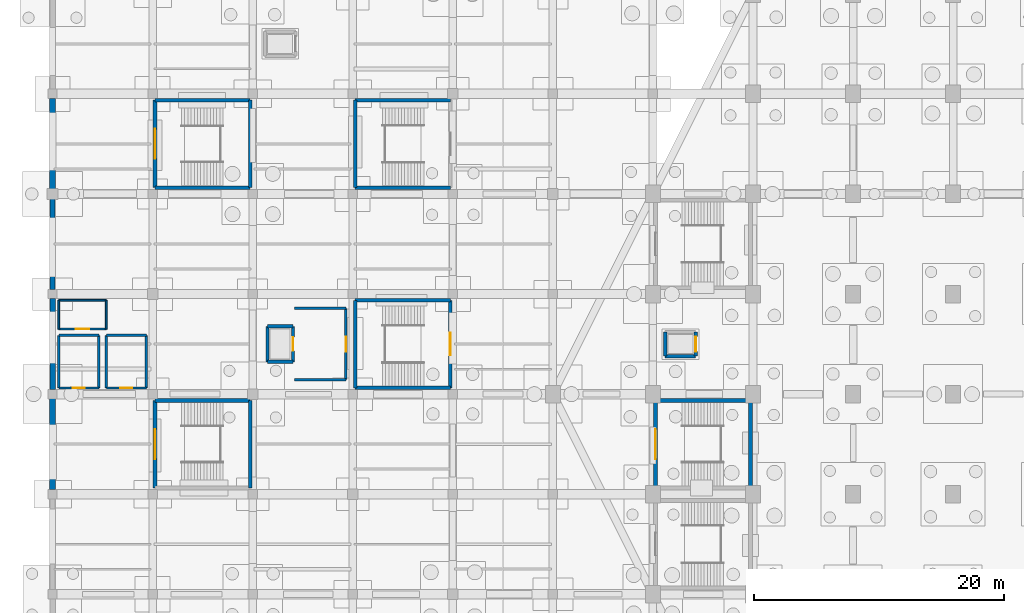
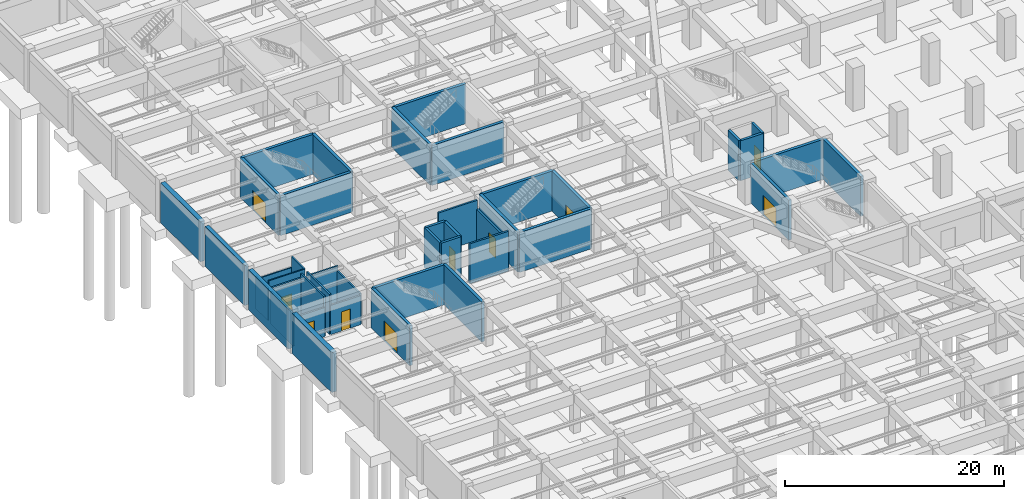
# One storey, part 25 of 36: 43 walls, 10 doors, 10 openings.
"""IFC4 building model written with IfcOpenShell, lengths in metres."""

from ifc_helpers import new_model, si_unit, direction, frame, frame_2d, origin, place, context, subcontext, project, spatial, rectangle, extrude, material, layer, layer_set, type_object, element, fill, save


model = new_model("IFC4")

# Units and contexts
model_context = context("Model", 3, precision=1e-05, world=origin(), true_north=direction((0.0, 1.0)))
body_context = subcontext(model_context, "Body", "Model", "MODEL_VIEW")
ifc_project = project(units=[si_unit("LENGTHUNIT", "METRE"), si_unit("AREAUNIT", "SQUARE_METRE"), si_unit("VOLUMEUNIT", "CUBIC_METRE"), si_unit("PLANEANGLEUNIT", "RADIAN"), si_unit("MASSUNIT", "GRAM", prefix="KILO")], contexts=[model_context])

# Site, building, storey
site_placement = place(None, origin())
site = spatial("IfcSite", under=ifc_project, at=site_placement, CompositionType="ELEMENT")
building_placement = place(site_placement, origin())
building = spatial("IfcBuilding", under=site, at=building_placement, Name="Tazarka Park Arena", CompositionType="ELEMENT")
storey_placement = place(building_placement, frame((0.0, 0.0, -4.800048828125)))
storey = spatial("IfcBuildingStorey", under=building, at=storey_placement, Name="B1", CompositionType="ELEMENT", Elevation=-4.800048828125)

# Wall, opening, door
ifc_material_1 = material(Name="Concrete C40/50", Category="concrete")
ifc_layer_1 = layer(ifc_material_1, 0.300048828125, Name="Concrete C40/50")
ifc_layer_set_1 = layer_set([ifc_layer_1], Name="Concrete C40/50")
wall_type_1 = type_object("IfcWallType", Name="IWAL-CW-S1", PredefinedType="SHEAR", material=ifc_layer_set_1)
wall_1_placement = place(storey_placement, frame((8.199951171875, 56.5, 0.0), z_axis=(0.0, 0.0, 1.0), x_axis=(0.0, 1.0, 0.0)))
wall_1 = element("IfcWall", 1, at=wall_1_placement, inside=storey, type_object=wall_type_1, Name="SCW-B1-ST01-W", PredefinedType="SHEAR", context=body_context, shape_type="SweptSolid", body=[
    extrude(rectangle(XDim=7.0, YDim=0.300048828125, at=frame_2d((3.5, 0.0))), origin(), (0.0, 0.0, 1.0), 4.4599609375),
])
opening_1_placement = place(wall_1_placement, frame((2.300048828125, 0.0, 0.0)))
opening_1 = element("IfcOpeningElement", 2, at=opening_1_placement, cuts=wall_1, Name="Opening ID-05", PredefinedType="OPENING", context=body_context, shape_type="SweptSolid", body=[
    extrude(rectangle(XDim=2.39990234375, YDim=2.199951171875, at=frame_2d((1.199951171875, 1.10009765625))), frame((0.0, 0.16015625, 0.0), z_axis=(0.0, -1.0, 0.0), x_axis=(1.0, 0.0, 0.0)), (0.0, 0.0, 1.0), 0.320068359375),
])
ifc_material_2 = material(Name="Fire-rated powder-coated steel and acoustic timber", Category="steel")
door_type_1 = type_object("IfcDoorType", Name="IDR-ID-05", OperationType="NOTDEFINED", PredefinedType="DOOR", material=ifc_material_2)
door_1_placement = place(opening_1_placement, frame((2.39990234375, 0.0, 0.0), z_axis=(0.0, 0.0, 1.0), x_axis=(-1.0, 0.0, 0.0)))
door_1 = element("IfcDoor", 3, at=door_1_placement, inside=storey, type_object=door_type_1, Name="Exit Stair Door ST01-B1", OperationType="DOUBLE_DOOR_SINGLE_SWING", OverallHeight=2.199951171875, OverallWidth=2.39990234375, PredefinedType="DOOR", context=body_context, shape_type="SweptSolid", body=[
    extrude(rectangle(XDim=2.39990234375, YDim=2.199951171875, at=frame_2d((1.199951171875, 1.10009765625))), frame((0.0, 0.02490234375, 0.0), z_axis=(0.0, -1.0, 0.0), x_axis=(1.0, 0.0, 0.0)), (0.0, 0.0, 1.0), 0.050048828125),
])
fill(opening_1, door_1)

# Walls
wall_2_placement = place(storey_placement, frame((8.199951171875, 63.5, 0.0), z_axis=(0.0, 0.0, 1.0), x_axis=(1.0, 0.0, 0.0)))
element("IfcWall", 4, at=wall_2_placement, inside=storey, type_object=wall_type_1, Name="SCW-B1-ST01-N", PredefinedType="SHEAR", context=body_context, shape_type="SweptSolid", body=[
    extrude(rectangle(XDim=7.60009765625, YDim=0.300048828125, at=frame_2d((3.800048828125, 0.0))), origin(), (0.0, 0.0, 1.0), 4.4599609375),
])
wall_3_placement = place(storey_placement, frame((15.800048828125, 63.5, 0.0), z_axis=(0.0, 0.0, 1.0), x_axis=(0.0, -1.0, 0.0)))
element("IfcWall", 5, at=wall_3_placement, inside=storey, type_object=wall_type_1, Name="SCW-B1-ST01-E", PredefinedType="SHEAR", context=body_context, shape_type="SweptSolid", body=[
    extrude(rectangle(XDim=7.0, YDim=0.300048828125, at=frame_2d((3.5, 0.0))), origin(), (0.0, 0.0, 1.0), 4.4599609375),
])
wall_4_placement = place(storey_placement, frame((15.800048828125, 80.5, 0.0), z_axis=(0.0, 0.0, 1.0), x_axis=(-1.0, 0.0, 0.0)))
element("IfcWall", 6, at=wall_4_placement, inside=storey, type_object=wall_type_1, Name="SCW-B1-ST02-S", PredefinedType="SHEAR", context=body_context, shape_type="SweptSolid", body=[
    extrude(rectangle(XDim=7.60009765625, YDim=0.300048828125, at=frame_2d((3.800048828125, 0.0))), origin(), (0.0, 0.0, 1.0), 4.4599609375),
])

# Wall, opening, door
wall_5_placement = place(storey_placement, frame((8.199951171875, 80.5, 0.0), z_axis=(0.0, 0.0, 1.0), x_axis=(0.0, 1.0, 0.0)))
wall_5 = element("IfcWall", 7, at=wall_5_placement, inside=storey, type_object=wall_type_1, Name="SCW-B1-ST02-W", PredefinedType="SHEAR", context=body_context, shape_type="SweptSolid", body=[
    extrude(rectangle(XDim=7.0, YDim=0.300048828125, at=frame_2d((3.5, 0.0))), origin(), (0.0, 0.0, 1.0), 4.4599609375),
])
opening_2_placement = place(wall_5_placement, frame((2.300048828125, 0.0, 0.0)))
opening_2 = element("IfcOpeningElement", 8, at=opening_2_placement, cuts=wall_5, Name="Opening ID-05", PredefinedType="OPENING", context=body_context, shape_type="SweptSolid", body=[
    extrude(rectangle(XDim=2.39990234375, YDim=2.199951171875, at=frame_2d((1.199951171875, 1.10009765625))), frame((0.0, 0.16015625, 0.0), z_axis=(0.0, -1.0, 0.0), x_axis=(1.0, 0.0, 0.0)), (0.0, 0.0, 1.0), 0.320068359375),
])
door_2_placement = place(opening_2_placement, frame((2.39990234375, 0.0, 0.0), z_axis=(0.0, 0.0, 1.0), x_axis=(-1.0, 0.0, 0.0)))
door_2 = element("IfcDoor", 9, at=door_2_placement, inside=storey, type_object=door_type_1, Name="Exit Stair Door ST02-B1", OperationType="DOUBLE_DOOR_SINGLE_SWING", OverallHeight=2.199951171875, OverallWidth=2.39990234375, PredefinedType="DOOR", context=body_context, shape_type="SweptSolid", body=[
    extrude(rectangle(XDim=2.39990234375, YDim=2.199951171875, at=frame_2d((1.199951171875, 1.10009765625))), frame((0.0, 0.02490234375, 0.0), z_axis=(0.0, -1.0, 0.0), x_axis=(1.0, 0.0, 0.0)), (0.0, 0.0, 1.0), 0.050048828125),
])
fill(opening_2, door_2)

# Walls
wall_6_placement = place(storey_placement, frame((8.199951171875, 87.5, 0.0), z_axis=(0.0, 0.0, 1.0), x_axis=(1.0, 0.0, 0.0)))
element("IfcWall", 10, at=wall_6_placement, inside=storey, type_object=wall_type_1, Name="SCW-B1-ST02-N", PredefinedType="SHEAR", context=body_context, shape_type="SweptSolid", body=[
    extrude(rectangle(XDim=7.60009765625, YDim=0.300048828125, at=frame_2d((3.800048828125, 0.0))), origin(), (0.0, 0.0, 1.0), 4.4599609375),
])
wall_7_placement = place(storey_placement, frame((15.800048828125, 87.5, 0.0), z_axis=(0.0, 0.0, 1.0), x_axis=(0.0, -1.0, 0.0)))
element("IfcWall", 11, at=wall_7_placement, inside=storey, type_object=wall_type_1, Name="SCW-B1-ST02-E", PredefinedType="SHEAR", context=body_context, shape_type="SweptSolid", body=[
    extrude(rectangle(XDim=7.0, YDim=0.300048828125, at=frame_2d((3.5, 0.0))), origin(), (0.0, 0.0, 1.0), 4.4599609375),
])

# Wall, opening, door
wall_8_placement = place(storey_placement, frame((48.199951171875, 56.5, 0.0), z_axis=(0.0, 0.0, 1.0), x_axis=(0.0, 1.0, 0.0)))
wall_8 = element("IfcWall", 12, at=wall_8_placement, inside=storey, type_object=wall_type_1, Name="SCW-B1-ST13-W", PredefinedType="SHEAR", context=body_context, shape_type="SweptSolid", body=[
    extrude(rectangle(XDim=7.0, YDim=0.300048828125, at=frame_2d((3.5, 0.0))), origin(), (0.0, 0.0, 1.0), 4.4599609375),
])
opening_3_placement = place(wall_8_placement, frame((2.300048828125, 0.0, 0.0)))
opening_3 = element("IfcOpeningElement", 13, at=opening_3_placement, cuts=wall_8, Name="Opening ID-05", PredefinedType="OPENING", context=body_context, shape_type="SweptSolid", body=[
    extrude(rectangle(XDim=2.39990234375, YDim=2.199951171875, at=frame_2d((1.199951171875, 1.10009765625))), frame((0.0, 0.16015625, 0.0), z_axis=(0.0, -1.0, 0.0), x_axis=(1.0, 0.0, 0.0)), (0.0, 0.0, 1.0), 0.320068359375),
])
door_3_placement = place(opening_3_placement, frame((2.39990234375, 0.0, 0.0), z_axis=(0.0, 0.0, 1.0), x_axis=(-1.0, 0.0, 0.0)))
door_3 = element("IfcDoor", 14, at=door_3_placement, inside=storey, type_object=door_type_1, Name="Exit Stair Door ST13-B1", OperationType="DOUBLE_DOOR_SINGLE_SWING", OverallHeight=2.199951171875, OverallWidth=2.39990234375, PredefinedType="DOOR", context=body_context, shape_type="SweptSolid", body=[
    extrude(rectangle(XDim=2.39990234375, YDim=2.199951171875, at=frame_2d((1.199951171875, 1.10009765625))), frame((0.0, 0.02490234375, 0.0), z_axis=(0.0, -1.0, 0.0), x_axis=(1.0, 0.0, 0.0)), (0.0, 0.0, 1.0), 0.050048828125),
])
fill(opening_3, door_3)

# Walls
wall_9_placement = place(storey_placement, frame((48.199951171875, 63.5, 0.0), z_axis=(0.0, 0.0, 1.0), x_axis=(1.0, 0.0, 0.0)))
element("IfcWall", 15, at=wall_9_placement, inside=storey, type_object=wall_type_1, Name="SCW-B1-ST13-N", PredefinedType="SHEAR", context=body_context, shape_type="SweptSolid", body=[
    extrude(rectangle(XDim=7.60009765625, YDim=0.300048828125, at=frame_2d((3.800048828125, 0.0))), origin(), (0.0, 0.0, 1.0), 4.4599609375),
])
wall_10_placement = place(storey_placement, frame((55.800048828125, 63.5, 0.0), z_axis=(0.0, 0.0, 1.0), x_axis=(0.0, -1.0, 0.0)))
element("IfcWall", 16, at=wall_10_placement, inside=storey, type_object=wall_type_1, Name="SCW-B1-ST13-E", PredefinedType="SHEAR", context=body_context, shape_type="SweptSolid", body=[
    extrude(rectangle(XDim=7.0, YDim=0.300048828125, at=frame_2d((3.5, 0.0))), origin(), (0.0, 0.0, 1.0), 4.4599609375),
])
wall_11_placement = place(storey_placement, frame((31.800048828125, 64.5, 0.0), z_axis=(0.0, 0.0, 1.0), x_axis=(-1.0, 0.0, 0.0)))
element("IfcWall", 17, at=wall_11_placement, inside=storey, type_object=wall_type_1, Name="SCW-B1-ST24-S", PredefinedType="SHEAR", context=body_context, shape_type="SweptSolid", body=[
    extrude(rectangle(XDim=7.60009765625, YDim=0.300048828125, at=frame_2d((3.800048828125, 0.0))), origin(), (0.0, 0.0, 1.0), 4.4599609375),
])
wall_12_placement = place(storey_placement, frame((24.199951171875, 64.5, 0.0), z_axis=(0.0, 0.0, 1.0), x_axis=(0.0, 1.0, 0.0)))
element("IfcWall", 18, at=wall_12_placement, inside=storey, type_object=wall_type_1, Name="SCW-B1-ST24-W", PredefinedType="SHEAR", context=body_context, shape_type="SweptSolid", body=[
    extrude(rectangle(XDim=7.0, YDim=0.300048828125, at=frame_2d((3.5, 0.0))), origin(), (0.0, 0.0, 1.0), 4.4599609375),
])
wall_13_placement = place(storey_placement, frame((24.199951171875, 71.5, 0.0), z_axis=(0.0, 0.0, 1.0), x_axis=(1.0, 0.0, 0.0)))
element("IfcWall", 19, at=wall_13_placement, inside=storey, type_object=wall_type_1, Name="SCW-B1-ST24-N", PredefinedType="SHEAR", context=body_context, shape_type="SweptSolid", body=[
    extrude(rectangle(XDim=7.60009765625, YDim=0.300048828125, at=frame_2d((3.800048828125, 0.0))), origin(), (0.0, 0.0, 1.0), 4.4599609375),
])

# Wall, opening, door
wall_14_placement = place(storey_placement, frame((31.800048828125, 71.5, 0.0), z_axis=(0.0, 0.0, 1.0), x_axis=(0.0, -1.0, 0.0)))
wall_14 = element("IfcWall", 20, at=wall_14_placement, inside=storey, type_object=wall_type_1, Name="SCW-B1-ST24-E", PredefinedType="SHEAR", context=body_context, shape_type="SweptSolid", body=[
    extrude(rectangle(XDim=7.0, YDim=0.300048828125, at=frame_2d((3.5, 0.0))), origin(), (0.0, 0.0, 1.0), 4.4599609375),
])
opening_4_placement = place(wall_14_placement, frame((2.60009765625, 0.0, 0.0)))
opening_4 = element("IfcOpeningElement", 21, at=opening_4_placement, cuts=wall_14, Name="Opening ID-04", PredefinedType="OPENING", context=body_context, shape_type="SweptSolid", body=[
    extrude(rectangle(XDim=1.800048828125, YDim=2.199951171875, at=frame_2d((0.89990234375, 1.10009765625))), frame((0.0, 0.16015625, 0.0), z_axis=(0.0, -1.0, 0.0), x_axis=(1.0, 0.0, 0.0)), (0.0, 0.0, 1.0), 0.320068359375),
])
ifc_material_3 = material(Name="Fire-rated powder-coated steel and acoustic timber", Category="steel")
door_type_2 = type_object("IfcDoorType", Name="IDR-ID-04", OperationType="NOTDEFINED", PredefinedType="DOOR", material=ifc_material_3)
door_4_placement = place(opening_4_placement, frame((1.800048828125, 0.0, 0.0), z_axis=(0.0, 0.0, 1.0), x_axis=(-1.0, 0.0, 0.0)))
door_4 = element("IfcDoor", 22, at=door_4_placement, inside=storey, type_object=door_type_2, Name="Vomitory Stair Door ST24-B1", OperationType="DOUBLE_DOOR_SINGLE_SWING", OverallHeight=2.199951171875, OverallWidth=1.800048828125, PredefinedType="DOOR", context=body_context, shape_type="SweptSolid", body=[
    extrude(rectangle(XDim=1.800048828125, YDim=2.199951171875, at=frame_2d((0.89990234375, 1.10009765625))), frame((0.0, 0.02490234375, 0.0), z_axis=(0.0, -1.0, 0.0), x_axis=(1.0, 0.0, 0.0)), (0.0, 0.0, 1.0), 0.050048828125),
])
fill(opening_4, door_4)

# Walls
wall_15_placement = place(storey_placement, frame((31.800048828125, 80.5, 0.0), z_axis=(0.0, 0.0, 1.0), x_axis=(-1.0, 0.0, 0.0)))
element("IfcWall", 23, at=wall_15_placement, inside=storey, type_object=wall_type_1, Name="SCW-B1-ST26-S", PredefinedType="SHEAR", context=body_context, shape_type="SweptSolid", body=[
    extrude(rectangle(XDim=7.60009765625, YDim=0.300048828125, at=frame_2d((3.800048828125, 0.0))), origin(), (0.0, 0.0, 1.0), 4.4599609375),
])
wall_16_placement = place(storey_placement, frame((24.199951171875, 80.5, 0.0), z_axis=(0.0, 0.0, 1.0), x_axis=(0.0, 1.0, 0.0)))
element("IfcWall", 24, at=wall_16_placement, inside=storey, type_object=wall_type_1, Name="SCW-B1-ST26-W", PredefinedType="SHEAR", context=body_context, shape_type="SweptSolid", body=[
    extrude(rectangle(XDim=7.0, YDim=0.300048828125, at=frame_2d((3.5, 0.0))), origin(), (0.0, 0.0, 1.0), 4.4599609375),
])
wall_17_placement = place(storey_placement, frame((24.199951171875, 87.5, 0.0), z_axis=(0.0, 0.0, 1.0), x_axis=(1.0, 0.0, 0.0)))
element("IfcWall", 25, at=wall_17_placement, inside=storey, type_object=wall_type_1, Name="SCW-B1-ST26-N", PredefinedType="SHEAR", context=body_context, shape_type="SweptSolid", body=[
    extrude(rectangle(XDim=7.60009765625, YDim=0.300048828125, at=frame_2d((3.800048828125, 0.0))), origin(), (0.0, 0.0, 1.0), 4.4599609375),
])
ifc_material_4 = material(Name="Concrete C40/50", Category="concrete")
ifc_layer_2 = layer(ifc_material_4, 0.260009765625, Name="Concrete C40/50")
ifc_layer_set_2 = layer_set([ifc_layer_2], Name="Concrete C40/50")
wall_type_2 = type_object("IfcWallType", Name="IWAL-CW-S3", PredefinedType="SHEAR", material=ifc_layer_set_2)
wall_18_placement = place(storey_placement, frame((17.179931640625, 66.580078125, 0.0), z_axis=(0.0, 0.0, 1.0), x_axis=(0.0, 1.0, 0.0)))
element("IfcWall", 26, at=wall_18_placement, inside=storey, type_object=wall_type_2, Name="LSW-B1-LF-01-W", PredefinedType="SHEAR", context=body_context, shape_type="SweptSolid", body=[
    extrude(rectangle(XDim=2.83984375, YDim=0.260009765625, at=frame_2d((1.419921875, 0.0))), origin(), (0.0, 0.0, 1.0), 4.4599609375),
])
for number, where, z_axis, x_axis, name in (
    (27, (17.179931640625, 69.419921875, 0.0), (0.0, 0.0, 1.0), (1.0, 0.0, 0.0), "LSW-B1-LF-01-N"),
    (28, (19.219970703125, 66.580078125, 0.0), (0.0, 0.0, 1.0), (-1.0, 0.0, 0.0), "LSW-B1-LF-01-S"),
):
    element("IfcWall", number, at=place(storey_placement, frame(where, z_axis=z_axis, x_axis=x_axis)), inside=storey, type_object=wall_type_2, Name=name, PredefinedType="SHEAR", context=body_context, shape_type="SweptSolid", body=[
        extrude(rectangle(XDim=2.0400390625, YDim=0.260009765625, at=frame_2d((1.02001953125, 0.0))), origin(), (0.0, 0.0, 1.0), 4.4599609375),
    ])

# Wall, opening, door
wall_19_placement = place(storey_placement, frame((19.219970703125, 69.419921875, 0.0), z_axis=(0.0, 0.0, 1.0), x_axis=(0.0, -1.0, 0.0)))
wall_19 = element("IfcWall", 29, at=wall_19_placement, inside=storey, type_object=wall_type_2, Name="LSW-B1-LF-01-E", PredefinedType="SHEAR", context=body_context, shape_type="SweptSolid", body=[
    extrude(rectangle(XDim=2.83984375, YDim=0.260009765625, at=frame_2d((1.419921875, 0.0))), origin(), (0.0, 0.0, 1.0), 4.4599609375),
])
opening_5_placement = place(wall_19_placement, frame((0.8701171875, 0.0, 0.0)))
opening_5 = element("IfcOpeningElement", 30, at=opening_5_placement, cuts=wall_19, Name="Opening LD-01", PredefinedType="OPENING", context=body_context, shape_type="SweptSolid", body=[
    extrude(rectangle(XDim=1.10009765625, YDim=2.14990234375, at=frame_2d((0.550048828125, 1.074951171875))), frame((0.0, 0.14013671875, 0.0), z_axis=(0.0, -1.0, 0.0), x_axis=(1.0, 0.0, 0.0)), (0.0, 0.0, 1.0), 0.280029296875),
])
ifc_material_5 = material(Name="Fire-rated powder-coated steel and acoustic timber", Category="steel")
door_type_3 = type_object("IfcDoorType", Name="IDR-LD-01", OperationType="NOTDEFINED", PredefinedType="DOOR", material=ifc_material_5)
door_5_placement = place(opening_5_placement, origin())
door_5 = element("IfcDoor", 31, at=door_5_placement, inside=storey, type_object=door_type_3, Name="Lift Landing Door LF-01-B1", OperationType="SLIDING_TO_LEFT", OverallHeight=2.14990234375, OverallWidth=1.10009765625, PredefinedType="DOOR", context=body_context, shape_type="SweptSolid", body=[
    extrude(rectangle(XDim=1.10009765625, YDim=2.14990234375, at=frame_2d((0.550048828125, 1.074951171875))), frame((0.0, 0.02490234375, 0.0), z_axis=(0.0, -1.0, 0.0), x_axis=(1.0, 0.0, 0.0)), (0.0, 0.0, 1.0), 0.050048828125),
])
fill(opening_5, door_5)

# Walls
wall_20_placement = place(storey_placement, frame((48.97998046875, 67.030029296875, 0.0), z_axis=(0.0, 0.0, 1.0), x_axis=(0.0, 1.0, 0.0)))
element("IfcWall", 32, at=wall_20_placement, inside=storey, type_object=wall_type_2, Name="LSW-B1-LF-09-W", PredefinedType="SHEAR", context=body_context, shape_type="SweptSolid", body=[
    extrude(rectangle(XDim=1.93994140625, YDim=0.260009765625, at=frame_2d((0.969970703125, 0.0))), origin(), (0.0, 0.0, 1.0), 4.4599609375),
])
wall_21_placement = place(storey_placement, frame((51.419921875, 67.030029296875, 0.0), z_axis=(0.0, 0.0, 1.0), x_axis=(-1.0, 0.0, 0.0)))
element("IfcWall", 33, at=wall_21_placement, inside=storey, type_object=wall_type_2, Name="LSW-B1-LF-09-S", PredefinedType="SHEAR", context=body_context, shape_type="SweptSolid", body=[
    extrude(rectangle(XDim=2.43994140625, YDim=0.260009765625, at=frame_2d((1.219970703125, 0.0))), origin(), (0.0, 0.0, 1.0), 4.4599609375),
])

# Wall, opening, door
wall_22_placement = place(storey_placement, frame((51.419921875, 68.969970703125, 0.0), z_axis=(0.0, 0.0, 1.0), x_axis=(0.0, -1.0, 0.0)))
wall_22 = element("IfcWall", 34, at=wall_22_placement, inside=storey, type_object=wall_type_2, Name="LSW-B1-LF-09-E", PredefinedType="SHEAR", context=body_context, shape_type="SweptSolid", body=[
    extrude(rectangle(XDim=1.93994140625, YDim=0.260009765625, at=frame_2d((0.969970703125, 0.0))), origin(), (0.0, 0.0, 1.0), 4.4599609375),
])
opening_6_placement = place(wall_22_placement, frame((0.3701171875, 0.0, 0.0)))
opening_6 = element("IfcOpeningElement", 35, at=opening_6_placement, cuts=wall_22, Name="Opening LD-02", PredefinedType="OPENING", context=body_context, shape_type="SweptSolid", body=[
    extrude(rectangle(XDim=1.199951171875, YDim=2.14990234375, at=frame_2d((0.60009765625, 1.074951171875))), frame((0.0, 0.14013671875, 0.0), z_axis=(0.0, -1.0, 0.0), x_axis=(1.0, 0.0, 0.0)), (0.0, 0.0, 1.0), 0.280029296875),
])
ifc_material_6 = material(Name="Fire-rated powder-coated steel and acoustic timber", Category="steel")
door_type_4 = type_object("IfcDoorType", Name="IDR-LD-02", OperationType="NOTDEFINED", PredefinedType="DOOR", material=ifc_material_6)
door_6_placement = place(opening_6_placement, origin())
door_6 = element("IfcDoor", 36, at=door_6_placement, inside=storey, type_object=door_type_4, Name="Lift Landing Door LF-09-B1", OperationType="SLIDING_TO_LEFT", OverallHeight=2.14990234375, OverallWidth=1.199951171875, PredefinedType="DOOR", context=body_context, shape_type="SweptSolid", body=[
    extrude(rectangle(XDim=1.199951171875, YDim=2.14990234375, at=frame_2d((0.60009765625, 1.074951171875))), frame((0.0, 0.02490234375, 0.0), z_axis=(0.0, -1.0, 0.0), x_axis=(1.0, 0.0, 0.0)), (0.0, 0.0, 1.0), 0.050048828125),
])
fill(opening_6, door_6)

# Walls
ifc_material_7 = material(Name="Reinforced masonry compartment wall", Category="masonry")
ifc_layer_3 = layer(ifc_material_7, 0.199951171875, Name="Reinforced masonry compartment wall")
ifc_layer_set_3 = layer_set([ifc_layer_3], Name="Reinforced masonry compartment wall")
wall_type_3 = type_object("IfcWallType", Name="IWAL-PT-04", PredefinedType="PARTITIONING", material=ifc_layer_set_3)
for number, where, z_axis, x_axis, name in (
    (37, (19.35009765625, 70.85009765625, 0.0), (0.0, 0.0, 1.0), (1.0, 0.0, 0.0), "FFW-B1-LF-01-N"),
    (38, (23.449951171875, 65.14990234375, 0.0), (0.0, 0.0, 1.0), (-1.0, 0.0, 0.0), "FFW-B1-LF-01-S"),
):
    element("IfcWall", number, at=place(storey_placement, frame(where, z_axis=z_axis, x_axis=x_axis)), inside=storey, type_object=wall_type_3, Name=name, PredefinedType="PARTITIONING", context=body_context, shape_type="SweptSolid", body=[
        extrude(rectangle(XDim=4.099853515625, YDim=0.199951171875, at=frame_2d((2.0498046875, 0.0))), origin(), (0.0, 0.0, 1.0), 4.4599609375),
    ])

# Wall, opening, door
wall_23_placement = place(storey_placement, frame((23.449951171875, 70.85009765625, 0.0), z_axis=(0.0, 0.0, 1.0), x_axis=(0.0, -1.0, 0.0)))
wall_23 = element("IfcWall", 39, at=wall_23_placement, inside=storey, type_object=wall_type_3, Name="FFW-B1-LF-01-E", PredefinedType="PARTITIONING", context=body_context, shape_type="SweptSolid", body=[
    extrude(rectangle(XDim=5.7001953125, YDim=0.199951171875, at=frame_2d((2.85009765625, 0.0))), origin(), (0.0, 0.0, 1.0), 3.449951171875),
])
opening_7_placement = place(wall_23_placement, frame((2.25, 0.0, 0.0)))
opening_7 = element("IfcOpeningElement", 40, at=opening_7_placement, cuts=wall_23, Name="Opening ID-03", PredefinedType="OPENING", context=body_context, shape_type="SweptSolid", body=[
    extrude(rectangle(XDim=1.199951171875, YDim=2.199951171875, at=frame_2d((0.60009765625, 1.10009765625))), frame((0.0, 0.10986328125, 0.0), z_axis=(0.0, -1.0, 0.0), x_axis=(1.0, 0.0, 0.0)), (0.0, 0.0, 1.0), 0.219970703125),
])
ifc_material_8 = material(Name="Fire-rated powder-coated steel and acoustic timber", Category="steel")
door_type_5 = type_object("IfcDoorType", Name="IDR-ID-03", OperationType="NOTDEFINED", PredefinedType="DOOR", material=ifc_material_8)
door_7_placement = place(opening_7_placement, origin())
door_7 = element("IfcDoor", 41, at=door_7_placement, inside=storey, type_object=door_type_5, Name="Firefighting Lobby Door LF-01-B1", OperationType="SINGLE_SWING_LEFT", OverallHeight=2.199951171875, OverallWidth=1.199951171875, PredefinedType="DOOR", context=body_context, shape_type="SweptSolid", body=[
    extrude(rectangle(XDim=1.199951171875, YDim=2.199951171875, at=frame_2d((0.60009765625, 1.10009765625))), frame((0.0, 0.02490234375, 0.0), z_axis=(0.0, -1.0, 0.0), x_axis=(1.0, 0.0, 0.0)), (0.0, 0.0, 1.0), 0.050048828125),
])
fill(opening_7, door_7)

ifc_material_9 = material(Name="Acoustic gypsum stud partition")
ifc_layer_4 = layer(ifc_material_9, 0.135009765625, Name="Acoustic gypsum stud partition")
ifc_layer_set_4 = layer_set([ifc_layer_4], Name="Acoustic gypsum stud partition")
wall_type_4 = type_object("IfcWallType", Name="IWAL-PT-10", PredefinedType="PARTITIONING", material=ifc_layer_set_4)
wall_24_placement = place(storey_placement, frame((0.5, 69.199951171875, 0.0), z_axis=(0.0, 0.0, 1.0), x_axis=(1.0, 0.0, 0.0)))
wall_24 = element("IfcWall", 42, at=wall_24_placement, inside=storey, type_object=wall_type_4, Name="WCE-B1-009", PredefinedType="PARTITIONING", context=body_context, shape_type="SweptSolid", body=[
    extrude(rectangle(XDim=3.800048828125, YDim=0.135009765625, at=frame_2d((1.89990234375, 0.0))), origin(), (0.0, 0.0, 1.0), 4.4599609375),
])
opening_8_placement = place(wall_24_placement, frame((1.35009765625, 0.0, 0.0)))
opening_8 = element("IfcOpeningElement", 43, at=opening_8_placement, cuts=wall_24, Name="Opening ID-02", PredefinedType="OPENING", context=body_context, shape_type="SweptSolid", body=[
    extrude(rectangle(XDim=1.10009765625, YDim=2.14990234375, at=frame_2d((0.550048828125, 1.074951171875))), frame((0.0, 0.07763671875, 0.0), z_axis=(0.0, -1.0, 0.0), x_axis=(1.0, 0.0, 0.0)), (0.0, 0.0, 1.0), 0.155029296875),
])
ifc_material_10 = material(Name="Fire-rated powder-coated steel and acoustic timber", Category="steel")
door_type_6 = type_object("IfcDoorType", Name="IDR-ID-02", OperationType="NOTDEFINED", PredefinedType="DOOR", material=ifc_material_10)
door_8_placement = place(opening_8_placement, origin())
door_8 = element("IfcDoor", 44, at=door_8_placement, inside=storey, type_object=door_type_6, Name="Room Door Accessible WC West 1", OperationType="SINGLE_SWING_LEFT", OverallHeight=2.14990234375, OverallWidth=1.10009765625, PredefinedType="DOOR", context=body_context, shape_type="SweptSolid", body=[
    extrude(rectangle(XDim=1.10009765625, YDim=2.14990234375, at=frame_2d((0.550048828125, 1.074951171875))), frame((0.0, 0.02490234375, 0.0), z_axis=(0.0, -1.0, 0.0), x_axis=(1.0, 0.0, 0.0)), (0.0, 0.0, 1.0), 0.050048828125),
])
fill(opening_8, door_8)

# Walls
wall_25_placement = place(storey_placement, frame((4.300048828125, 69.199951171875, 0.0), z_axis=(0.0, 0.0, 1.0), x_axis=(0.0, 1.0, 0.0)))
element("IfcWall", 45, at=wall_25_placement, inside=storey, type_object=wall_type_4, Name="WCE-B1-010", PredefinedType="PARTITIONING", context=body_context, shape_type="SweptSolid", body=[
    extrude(rectangle(XDim=2.300048828125, YDim=0.135009765625, at=frame_2d((1.14990234375, 0.0))), origin(), (0.0, 0.0, 1.0), 4.4599609375),
])
wall_26_placement = place(storey_placement, frame((4.300048828125, 71.5, 0.0), z_axis=(0.0, 0.0, 1.0), x_axis=(-1.0, 0.0, 0.0)))
element("IfcWall", 46, at=wall_26_placement, inside=storey, type_object=wall_type_4, Name="WCE-B1-011", PredefinedType="PARTITIONING", context=body_context, shape_type="SweptSolid", body=[
    extrude(rectangle(XDim=3.800048828125, YDim=0.135009765625, at=frame_2d((1.89990234375, 0.0))), origin(), (0.0, 0.0, 1.0), 3.25),
])
wall_27_placement = place(storey_placement, frame((0.5, 71.5, 0.0), z_axis=(0.0, 0.0, 1.0), x_axis=(0.0, -1.0, 0.0)))
element("IfcWall", 47, at=wall_27_placement, inside=storey, type_object=wall_type_4, Name="WCE-B1-012", PredefinedType="PARTITIONING", context=body_context, shape_type="SweptSolid", body=[
    extrude(rectangle(XDim=2.300048828125, YDim=0.135009765625, at=frame_2d((1.14990234375, 0.0))), origin(), (0.0, 0.0, 1.0), 3.60009765625),
])

# Wall, opening, door
ifc_material_11 = material(Name="Wet-zone tiled blockwork wall", Category="masonry")
ifc_layer_5 = layer(ifc_material_11, 0.175048828125, Name="Wet-zone tiled blockwork wall")
ifc_layer_set_5 = layer_set([ifc_layer_5], Name="Wet-zone tiled blockwork wall")
wall_type_5 = type_object("IfcWallType", Name="IWAL-PT-18", PredefinedType="PARTITIONING", material=ifc_layer_set_5)
wall_28_placement = place(storey_placement, frame((0.5, 64.5, 0.0), z_axis=(0.0, 0.0, 1.0), x_axis=(1.0, 0.0, 0.0)))
wall_28 = element("IfcWall", 48, at=wall_28_placement, inside=storey, type_object=wall_type_5, Name="WCE-B1-001", PredefinedType="PARTITIONING", context=body_context, shape_type="SweptSolid", body=[
    extrude(rectangle(XDim=3.199951171875, YDim=0.175048828125, at=frame_2d((1.60009765625, 0.0))), origin(), (0.0, 0.0, 1.0), 3.25),
])
opening_9_placement = place(wall_28_placement, frame((1.125, 0.0, 0.0)))
opening_9 = element("IfcOpeningElement", 49, at=opening_9_placement, cuts=wall_28, Name="Opening ID-09", PredefinedType="OPENING", context=body_context, shape_type="SweptSolid", body=[
    extrude(rectangle(XDim=0.949951171875, YDim=2.14990234375, at=frame_2d((0.47509765625, 1.074951171875))), frame((0.0, 0.09765625, 0.0), z_axis=(0.0, -1.0, 0.0), x_axis=(1.0, 0.0, 0.0)), (0.0, 0.0, 1.0), 0.195068359375),
])
ifc_material_12 = material(Name="Fire-rated powder-coated steel and acoustic timber", Category="steel")
door_type_7 = type_object("IfcDoorType", Name="IDR-ID-09", OperationType="NOTDEFINED", PredefinedType="DOOR", material=ifc_material_12)
door_9_placement = place(opening_9_placement, origin())
door_9 = element("IfcDoor", 50, at=door_9_placement, inside=storey, type_object=door_type_7, Name="Room Door Public Male WC West 1", OperationType="SINGLE_SWING_LEFT", OverallHeight=2.14990234375, OverallWidth=0.949951171875, PredefinedType="DOOR", context=body_context, shape_type="SweptSolid", body=[
    extrude(rectangle(XDim=0.949951171875, YDim=2.14990234375, at=frame_2d((0.47509765625, 1.074951171875))), frame((0.0, 0.02490234375, 0.0), z_axis=(0.0, -1.0, 0.0), x_axis=(1.0, 0.0, 0.0)), (0.0, 0.0, 1.0), 0.050048828125),
])
fill(opening_9, door_9)

# Walls
wall_29_placement = place(storey_placement, frame((3.699951171875, 64.5, 0.0), z_axis=(0.0, 0.0, 1.0), x_axis=(0.0, 1.0, 0.0)))
element("IfcWall", 51, at=wall_29_placement, inside=storey, type_object=wall_type_5, Name="WCE-B1-002", PredefinedType="PARTITIONING", context=body_context, shape_type="SweptSolid", body=[
    extrude(rectangle(XDim=4.199951171875, YDim=0.175048828125, at=frame_2d((2.10009765625, 0.0))), origin(), (0.0, 0.0, 1.0), 4.4599609375),
])
wall_30_placement = place(storey_placement, frame((3.699951171875, 68.699951171875, 0.0), z_axis=(0.0, 0.0, 1.0), x_axis=(-1.0, 0.0, 0.0)))
element("IfcWall", 52, at=wall_30_placement, inside=storey, type_object=wall_type_5, Name="WCE-B1-003", PredefinedType="PARTITIONING", context=body_context, shape_type="SweptSolid", body=[
    extrude(rectangle(XDim=3.199951171875, YDim=0.175048828125, at=frame_2d((1.60009765625, 0.0))), origin(), (0.0, 0.0, 1.0), 4.0),
])
wall_31_placement = place(storey_placement, frame((0.5, 68.699951171875, 0.0), z_axis=(0.0, 0.0, 1.0), x_axis=(0.0, -1.0, 0.0)))
element("IfcWall", 53, at=wall_31_placement, inside=storey, type_object=wall_type_5, Name="WCE-B1-004", PredefinedType="PARTITIONING", context=body_context, shape_type="SweptSolid", body=[
    extrude(rectangle(XDim=4.199951171875, YDim=0.175048828125, at=frame_2d((2.10009765625, 0.0))), origin(), (0.0, 0.0, 1.0), 3.60009765625),
])

# Wall, opening, door
wall_32_placement = place(storey_placement, frame((4.300048828125, 64.5, 0.0), z_axis=(0.0, 0.0, 1.0), x_axis=(1.0, 0.0, 0.0)))
wall_32 = element("IfcWall", 54, at=wall_32_placement, inside=storey, type_object=wall_type_5, Name="WCE-B1-005", PredefinedType="PARTITIONING", context=body_context, shape_type="SweptSolid", body=[
    extrude(rectangle(XDim=3.199951171875, YDim=0.175048828125, at=frame_2d((1.60009765625, 0.0))), origin(), (0.0, 0.0, 1.0), 3.25),
])
opening_10_placement = place(wall_32_placement, frame((1.125, 0.0, 0.0)))
opening_10 = element("IfcOpeningElement", 55, at=opening_10_placement, cuts=wall_32, Name="Opening ID-09", PredefinedType="OPENING", context=body_context, shape_type="SweptSolid", body=[
    extrude(rectangle(XDim=0.949951171875, YDim=2.14990234375, at=frame_2d((0.47509765625, 1.074951171875))), frame((0.0, 0.09765625, 0.0), z_axis=(0.0, -1.0, 0.0), x_axis=(1.0, 0.0, 0.0)), (0.0, 0.0, 1.0), 0.195068359375),
])
door_10_placement = place(opening_10_placement, origin())
door_10 = element("IfcDoor", 56, at=door_10_placement, inside=storey, type_object=door_type_7, Name="Room Door Public Female WC West 1", OperationType="SINGLE_SWING_RIGHT", OverallHeight=2.14990234375, OverallWidth=0.949951171875, PredefinedType="DOOR", context=body_context, shape_type="SweptSolid", body=[
    extrude(rectangle(XDim=0.949951171875, YDim=2.14990234375, at=frame_2d((0.47509765625, 1.074951171875))), frame((0.0, 0.02490234375, 0.0), z_axis=(0.0, -1.0, 0.0), x_axis=(1.0, 0.0, 0.0)), (0.0, 0.0, 1.0), 0.050048828125),
])
fill(opening_10, door_10)

# Walls
wall_33_placement = place(storey_placement, frame((7.5, 64.5, 0.0), z_axis=(0.0, 0.0, 1.0), x_axis=(0.0, 1.0, 0.0)))
element("IfcWall", 57, at=wall_33_placement, inside=storey, type_object=wall_type_5, Name="WCE-B1-006", PredefinedType="PARTITIONING", context=body_context, shape_type="SweptSolid", body=[
    extrude(rectangle(XDim=4.199951171875, YDim=0.175048828125, at=frame_2d((2.10009765625, 0.0))), origin(), (0.0, 0.0, 1.0), 3.449951171875),
])
wall_34_placement = place(storey_placement, frame((7.5, 68.699951171875, 0.0), z_axis=(0.0, 0.0, 1.0), x_axis=(-1.0, 0.0, 0.0)))
element("IfcWall", 58, at=wall_34_placement, inside=storey, type_object=wall_type_5, Name="WCE-B1-007", PredefinedType="PARTITIONING", context=body_context, shape_type="SweptSolid", body=[
    extrude(rectangle(XDim=3.199951171875, YDim=0.175048828125, at=frame_2d((1.60009765625, 0.0))), origin(), (0.0, 0.0, 1.0), 4.0),
])
wall_35_placement = place(storey_placement, frame((4.300048828125, 68.699951171875, 0.0), z_axis=(0.0, 0.0, 1.0), x_axis=(0.0, -1.0, 0.0)))
element("IfcWall", 59, at=wall_35_placement, inside=storey, type_object=wall_type_5, Name="WCE-B1-008", PredefinedType="PARTITIONING", context=body_context, shape_type="SweptSolid", body=[
    extrude(rectangle(XDim=4.199951171875, YDim=0.175048828125, at=frame_2d((2.10009765625, 0.0))), origin(), (0.0, 0.0, 1.0), 4.4599609375),
])
ifc_material_13 = material(Name="Concrete C35/45", Category="concrete")
ifc_layer_6 = layer(ifc_material_13, 0.39990234375, Name="Concrete C35/45")
ifc_layer_set_6 = layer_set([ifc_layer_6], Name="Concrete C35/45")
wall_type_6 = type_object("IfcWallType", Name="WAL-RW-01", PredefinedType="USERDEFINED", material=ifc_layer_set_6)
wall_36_placement = place(storey_placement, frame((0.0, 72.35498046875, 0.0), z_axis=(0.0, 0.0, 1.0), x_axis=(0.0, 1.0, 0.0)))
element("IfcWall", 60, at=wall_36_placement, inside=storey, type_object=wall_type_6, Name="EW-B1-0051", ObjectType="RETAININGWALL", PredefinedType="USERDEFINED", context=body_context, shape_type="SweptSolid", body=[
    extrude(rectangle(XDim=7.239990234375, YDim=0.39990234375, at=frame_2d((3.6201171875, 0.0))), origin(), (0.0, 0.0, 1.0), 4.4599609375),
])
ifc_material_14 = material(Name="Concrete C35/45", Category="concrete")
ifc_layer_7 = layer(ifc_material_14, 0.43994140625, Name="Concrete C35/45")
ifc_layer_set_7 = layer_set([ifc_layer_7], Name="Concrete C35/45")
wall_type_7 = type_object("IfcWallType", Name="WAL-RW-02", PredefinedType="USERDEFINED", material=ifc_layer_set_7)
wall_37_placement = place(storey_placement, frame((0.0, 64.35498046875, 0.0), z_axis=(0.0, 0.0, 1.0), x_axis=(0.0, 1.0, 0.0)))
element("IfcWall", 61, at=wall_37_placement, inside=storey, type_object=wall_type_7, Name="EW-B1-0052", ObjectType="RETAININGWALL", PredefinedType="USERDEFINED", context=body_context, shape_type="SweptSolid", body=[
    extrude(rectangle(XDim=7.2900390625, YDim=0.43994140625, at=frame_2d((3.64501953125, 0.0))), origin(), (0.0, 0.0, 1.0), 4.4599609375),
])
ifc_material_15 = material(Name="Concrete C35/45", Category="concrete")
ifc_layer_8 = layer(ifc_material_15, 0.47998046875, Name="Concrete C35/45")
ifc_layer_set_8 = layer_set([ifc_layer_8], Name="Concrete C35/45")
wall_type_8 = type_object("IfcWallType", Name="WAL-RW-03", PredefinedType="USERDEFINED", material=ifc_layer_set_8)
wall_38_placement = place(storey_placement, frame((0.0, 80.405029296875, 0.0), z_axis=(0.0, 0.0, 1.0), x_axis=(0.0, 1.0, 0.0)))
element("IfcWall", 62, at=wall_38_placement, inside=storey, type_object=wall_type_8, Name="EW-B1-0050", ObjectType="RETAININGWALL", PredefinedType="USERDEFINED", context=body_context, shape_type="SweptSolid", body=[
    extrude(rectangle(XDim=7.239990234375, YDim=0.47998046875, at=frame_2d((3.6201171875, 0.0))), origin(), (0.0, 0.0, 1.0), 4.4599609375),
])
wall_39_placement = place(storey_placement, frame((0.0, 56.35498046875, 0.0), z_axis=(0.0, 0.0, 1.0), x_axis=(0.0, 1.0, 0.0)))
element("IfcWall", 63, at=wall_39_placement, inside=storey, type_object=wall_type_8, Name="EW-B1-0053", ObjectType="RETAININGWALL", PredefinedType="USERDEFINED", context=body_context, shape_type="SweptSolid", body=[
    extrude(rectangle(XDim=7.2900390625, YDim=0.47998046875, at=frame_2d((3.64501953125, 0.0))), origin(), (0.0, 0.0, 1.0), 4.4599609375),
])

save(model, "model.ifc")
